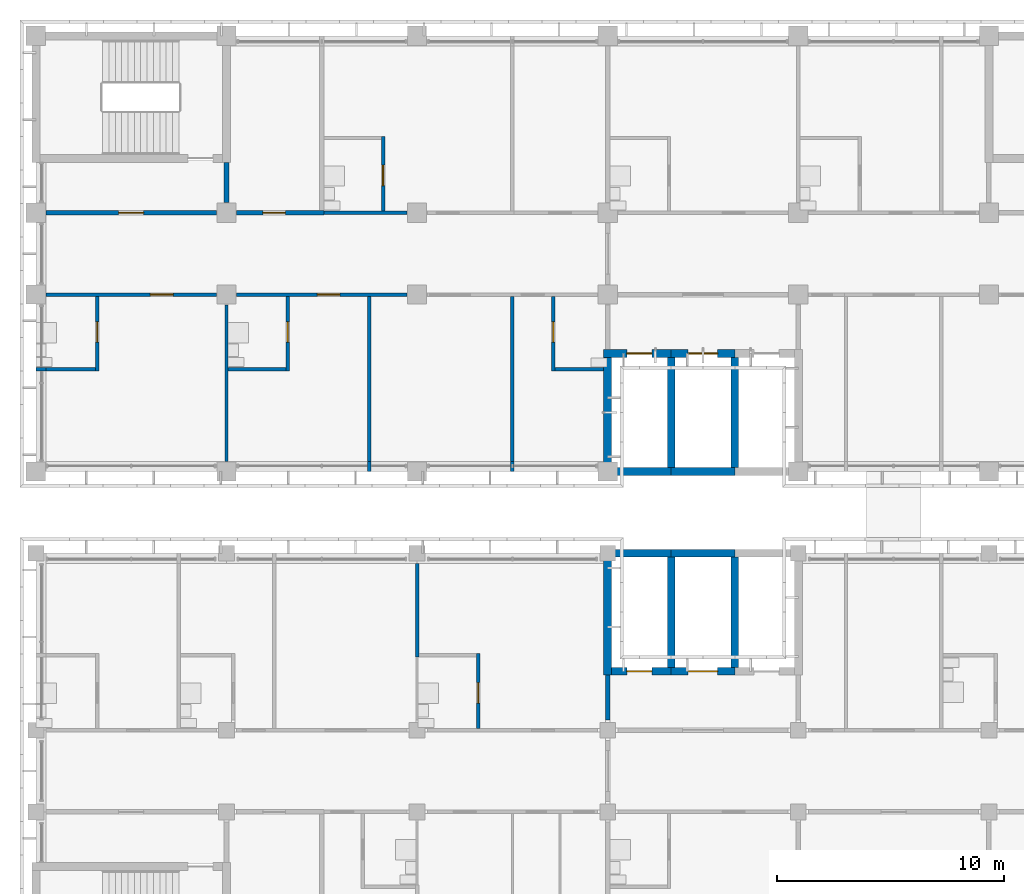
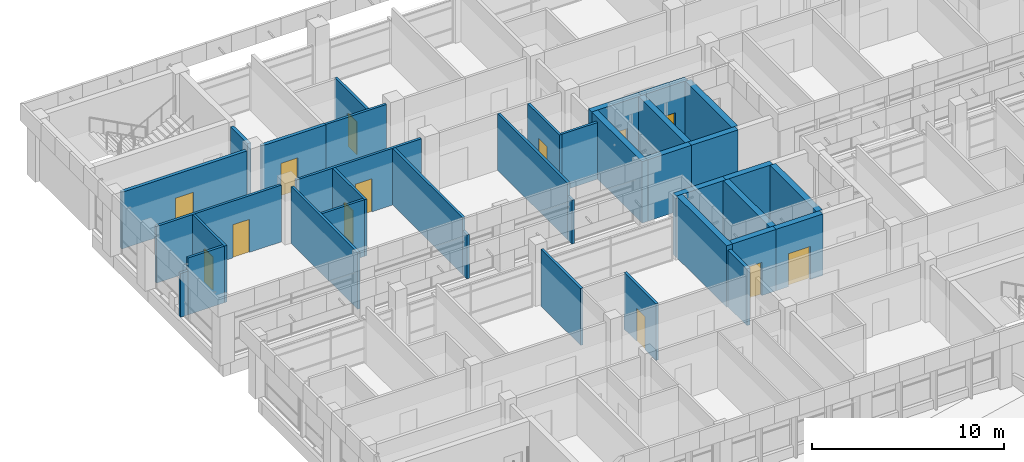
# One storey, part 31 of 74: 36 walls, 13 doors, 13 openings.
"""IFC4 building model written with IfcOpenShell, lengths in metres."""

from ifc_helpers import new_model, si_unit, direction, frame, frame_2d, origin, place, context, subcontext, project, spatial, rectangle, extrude, material, layer, layer_set, type_object, element, fill, save


model = new_model("IFC4")

# Units and contexts
model_context = context("Model", 3, precision=1e-05, world=origin(), true_north=direction((0.0, 1.0)))
body_context = subcontext(model_context, "Body", "Model", "MODEL_VIEW")
ifc_project = project(units=[si_unit("LENGTHUNIT", "METRE"), si_unit("AREAUNIT", "SQUARE_METRE"), si_unit("VOLUMEUNIT", "CUBIC_METRE"), si_unit("PLANEANGLEUNIT", "RADIAN"), si_unit("MASSUNIT", "GRAM", prefix="KILO")], contexts=[model_context])

# Site, building, storey
site_placement = place(None, origin())
site = spatial("IfcSite", under=ifc_project, at=site_placement, CompositionType="ELEMENT")
building_placement = place(site_placement, origin())
building = spatial("IfcBuilding", under=site, at=building_placement, Name="Bougainvillea Quay General Hospital", CompositionType="ELEMENT")
storey_placement = place(building_placement, frame((0.0, 0.0, 21.0)))
storey = spatial("IfcBuildingStorey", under=building, at=storey_placement, Name="L04", CompositionType="ELEMENT", Elevation=21.0)

# Walls
ifc_material_1 = material(Name="Gypsum board partition on steel studs, insulated", Category="steel")
ifc_layer_1 = layer(ifc_material_1, 0.14990234375)
ifc_layer_set_1 = layer_set([ifc_layer_1], Name="Gypsum board partition on steel studs, insulated")
wall_type_1 = type_object("IfcWallType", Name="Partition 150 Gypsum board partition", PredefinedType="PARTITIONING", material=ifc_layer_set_1)
wall_1_placement = place(storey_placement, frame((50.39990234375, 140.85009765625, 0.0), z_axis=(0.0, 0.0, 1.0), x_axis=(0.0, 1.0, 0.0)))
element("IfcWall", 1, at=wall_1_placement, inside=storey, type_object=wall_type_1, Name="Partition 150 mm", PredefinedType="PARTITIONING", context=body_context, shape_type="SweptSolid", body=[
    extrude(rectangle(XDim=6.89990234375, YDim=0.14990234375, at=frame_2d((3.449951171875, 0.0))), origin(), (0.0, 0.0, 1.0), 3.60009765625),
])
wall_2_placement = place(storey_placement, frame((56.699951171875, 140.39990234375, 0.0), z_axis=(0.0, 0.0, 1.0), x_axis=(0.0, 1.0, 0.0)))
element("IfcWall", 2, at=wall_2_placement, inside=storey, type_object=wall_type_1, Name="Partition 150 mm", PredefinedType="PARTITIONING", context=body_context, shape_type="SweptSolid", body=[
    extrude(rectangle(XDim=0.4501953125, YDim=0.14990234375, at=frame_2d((0.22509765625, 0.0))), origin(), (0.0, 0.0, 1.0), 2.780029296875),
])
wall_3_placement = place(storey_placement, frame((56.699951171875, 140.85009765625, 0.0), z_axis=(0.0, 0.0, 1.0), x_axis=(0.0, 1.0, 0.0)))
element("IfcWall", 3, at=wall_3_placement, inside=storey, type_object=wall_type_1, Name="Partition 150 mm", PredefinedType="PARTITIONING", context=body_context, shape_type="SweptSolid", body=[
    extrude(rectangle(XDim=7.27490234375, YDim=0.14990234375, at=frame_2d((3.637451171875, 0.0))), origin(), (0.0, 0.0, 1.0), 3.60009765625),
])
wall_4_placement = place(storey_placement, frame((63.0, 140.39990234375, 0.0), z_axis=(0.0, 0.0, 1.0), x_axis=(0.0, 1.0, 0.0)))
element("IfcWall", 4, at=wall_4_placement, inside=storey, type_object=wall_type_1, Name="Partition 150 mm", PredefinedType="PARTITIONING", context=body_context, shape_type="SweptSolid", body=[
    extrude(rectangle(XDim=0.4501953125, YDim=0.14990234375, at=frame_2d((0.22509765625, 0.0))), origin(), (0.0, 0.0, 1.0), 2.780029296875),
])
wall_5_placement = place(storey_placement, frame((63.0, 140.85009765625, 0.0), z_axis=(0.0, 0.0, 1.0), x_axis=(0.0, 1.0, 0.0)))
element("IfcWall", 5, at=wall_5_placement, inside=storey, type_object=wall_type_1, Name="Partition 150 mm", PredefinedType="PARTITIONING", context=body_context, shape_type="SweptSolid", body=[
    extrude(rectangle(XDim=7.27490234375, YDim=0.14990234375, at=frame_2d((3.637451171875, 0.0))), origin(), (0.0, 0.0, 1.0), 3.60009765625),
])
wall_6_placement = place(storey_placement, frame((58.800048828125, 132.22509765625, 0.0), z_axis=(0.0, 0.0, 1.0), x_axis=(0.0, 1.0, 0.0)))
element("IfcWall", 6, at=wall_6_placement, inside=storey, type_object=wall_type_1, Name="Partition 150 mm", PredefinedType="PARTITIONING", context=body_context, shape_type="SweptSolid", body=[
    extrude(rectangle(XDim=4.125, YDim=0.14990234375, at=frame_2d((2.0625, 0.0))), origin(), (0.0, 0.0, 1.0), 3.60009765625),
])

# Wall, opening, door
wall_7_placement = place(storey_placement, frame((61.5, 129.074951171875, 0.0), z_axis=(0.0, 0.0, 1.0), x_axis=(0.0, 1.0, 0.0)))
wall_7 = element("IfcWall", 7, at=wall_7_placement, inside=storey, type_object=wall_type_1, Name="Partition 150 mm", PredefinedType="PARTITIONING", context=body_context, shape_type="SweptSolid", body=[
    extrude(rectangle(XDim=3.300048828125, YDim=0.14990234375, at=frame_2d((1.64990234375, 0.0))), origin(), (0.0, 0.0, 1.0), 3.60009765625),
])
opening_1_placement = place(wall_7_placement, frame((1.125, 0.0, 0.0)))
opening_1 = element("IfcOpeningElement", 8, at=opening_1_placement, cuts=wall_7, Name="Opening L04.084", PredefinedType="OPENING", context=body_context, shape_type="SweptSolid", body=[
    extrude(rectangle(XDim=0.89990234375, YDim=2.10009765625, at=frame_2d((0.449951171875, 1.050048828125))), frame((0.0, 0.0849609375, 0.0), z_axis=(0.0, -1.0, 0.0), x_axis=(1.0, 0.0, 0.0)), (0.0, 0.0, 1.0), 0.169921875),
])
ifc_material_2 = material(Name="Solid-core timber door leaf in steel frame", Category="steel")
door_type_1 = type_object("IfcDoorType", Name="Single leaf door 900x2100", OperationType="NOTDEFINED", PredefinedType="DOOR", material=ifc_material_2)
door_1_placement = place(opening_1_placement, origin())
door_1 = element("IfcDoor", 9, at=door_1_placement, inside=storey, type_object=door_type_1, Name="DT07 L04.084", OperationType="SINGLE_SWING_LEFT", OverallHeight=2.10009765625, OverallWidth=0.89990234375, PredefinedType="DOOR", context=body_context, shape_type="SweptSolid", body=[
    extrude(rectangle(XDim=0.89990234375, YDim=2.10009765625, at=frame_2d((0.449951171875, 1.050048828125))), frame((0.0, 0.02490234375, 0.0), z_axis=(0.0, -1.0, 0.0), x_axis=(1.0, 0.0, 0.0)), (0.0, 0.0, 1.0), 0.050048828125),
])
fill(opening_1, door_1)

wall_8_placement = place(storey_placement, frame((44.699951171875, 144.824951171875, 0.0), z_axis=(0.0, 0.0, 1.0), x_axis=(0.0, 1.0, 0.0)))
wall_8 = element("IfcWall", 10, at=wall_8_placement, inside=storey, type_object=wall_type_1, Name="Partition 150 mm", PredefinedType="PARTITIONING", context=body_context, shape_type="SweptSolid", body=[
    extrude(rectangle(XDim=3.300048828125, YDim=0.14990234375, at=frame_2d((1.64990234375, 0.0))), origin(), (0.0, 0.0, 1.0), 3.60009765625),
])
opening_2_placement = place(wall_8_placement, frame((1.27490234375, 0.0, 0.0)))
opening_2 = element("IfcOpeningElement", 11, at=opening_2_placement, cuts=wall_8, Name="Opening L04.005", PredefinedType="OPENING", context=body_context, shape_type="SweptSolid", body=[
    extrude(rectangle(XDim=0.89990234375, YDim=2.10009765625, at=frame_2d((0.449951171875, 1.050048828125))), frame((0.0, 0.0849609375, 0.0), z_axis=(0.0, -1.0, 0.0), x_axis=(1.0, 0.0, 0.0)), (0.0, 0.0, 1.0), 0.169921875),
])
door_2_placement = place(opening_2_placement, origin())
door_2 = element("IfcDoor", 12, at=door_2_placement, inside=storey, type_object=door_type_1, Name="DT07 L04.005", OperationType="SINGLE_SWING_RIGHT", OverallHeight=2.10009765625, OverallWidth=0.89990234375, PredefinedType="DOOR", context=body_context, shape_type="SweptSolid", body=[
    extrude(rectangle(XDim=0.89990234375, YDim=2.10009765625, at=frame_2d((0.449951171875, 1.050048828125))), frame((0.0, 0.02490234375, 0.0), z_axis=(0.0, -1.0, 0.0), x_axis=(1.0, 0.0, 0.0)), (0.0, 0.0, 1.0), 0.050048828125),
])
fill(opening_2, door_2)

wall_9_placement = place(storey_placement, frame((53.10009765625, 144.824951171875, 0.0), z_axis=(0.0, 0.0, 1.0), x_axis=(0.0, 1.0, 0.0)))
wall_9 = element("IfcWall", 13, at=wall_9_placement, inside=storey, type_object=wall_type_1, Name="Partition 150 mm", PredefinedType="PARTITIONING", context=body_context, shape_type="SweptSolid", body=[
    extrude(rectangle(XDim=3.300048828125, YDim=0.14990234375, at=frame_2d((1.64990234375, 0.0))), origin(), (0.0, 0.0, 1.0), 3.60009765625),
])
opening_3_placement = place(wall_9_placement, frame((1.27490234375, 0.0, 0.0)))
opening_3 = element("IfcOpeningElement", 14, at=opening_3_placement, cuts=wall_9, Name="Opening L04.007", PredefinedType="OPENING", context=body_context, shape_type="SweptSolid", body=[
    extrude(rectangle(XDim=0.89990234375, YDim=2.10009765625, at=frame_2d((0.449951171875, 1.050048828125))), frame((0.0, 0.0849609375, 0.0), z_axis=(0.0, -1.0, 0.0), x_axis=(1.0, 0.0, 0.0)), (0.0, 0.0, 1.0), 0.169921875),
])
door_3_placement = place(opening_3_placement, origin())
door_3 = element("IfcDoor", 15, at=door_3_placement, inside=storey, type_object=door_type_1, Name="DT07 L04.007", OperationType="SINGLE_SWING_RIGHT", OverallHeight=2.10009765625, OverallWidth=0.89990234375, PredefinedType="DOOR", context=body_context, shape_type="SweptSolid", body=[
    extrude(rectangle(XDim=0.89990234375, YDim=2.10009765625, at=frame_2d((0.449951171875, 1.050048828125))), frame((0.0, 0.02490234375, 0.0), z_axis=(0.0, -1.0, 0.0), x_axis=(1.0, 0.0, 0.0)), (0.0, 0.0, 1.0), 0.050048828125),
])
fill(opening_3, door_3)

wall_10_placement = place(storey_placement, frame((57.300048828125, 151.875, 0.0), z_axis=(0.0, 0.0, 1.0), x_axis=(0.0, 1.0, 0.0)))
wall_10 = element("IfcWall", 16, at=wall_10_placement, inside=storey, type_object=wall_type_1, Name="Partition 150 mm", PredefinedType="PARTITIONING", context=body_context, shape_type="SweptSolid", body=[
    extrude(rectangle(XDim=3.300048828125, YDim=0.14990234375, at=frame_2d((1.64990234375, 0.0))), origin(), (0.0, 0.0, 1.0), 3.60009765625),
])
opening_4_placement = place(wall_10_placement, frame((1.125, 0.0, 0.0)))
opening_4 = element("IfcOpeningElement", 17, at=opening_4_placement, cuts=wall_10, Name="Opening L04.012", PredefinedType="OPENING", context=body_context, shape_type="SweptSolid", body=[
    extrude(rectangle(XDim=0.89990234375, YDim=2.10009765625, at=frame_2d((0.449951171875, 1.050048828125))), frame((0.0, 0.0849609375, 0.0), z_axis=(0.0, -1.0, 0.0), x_axis=(1.0, 0.0, 0.0)), (0.0, 0.0, 1.0), 0.169921875),
])
door_4_placement = place(opening_4_placement, origin())
door_4 = element("IfcDoor", 18, at=door_4_placement, inside=storey, type_object=door_type_1, Name="DT07 L04.012", OperationType="SINGLE_SWING_LEFT", OverallHeight=2.10009765625, OverallWidth=0.89990234375, PredefinedType="DOOR", context=body_context, shape_type="SweptSolid", body=[
    extrude(rectangle(XDim=0.89990234375, YDim=2.10009765625, at=frame_2d((0.449951171875, 1.050048828125))), frame((0.0, 0.02490234375, 0.0), z_axis=(0.0, -1.0, 0.0), x_axis=(1.0, 0.0, 0.0)), (0.0, 0.0, 1.0), 0.050048828125),
])
fill(opening_4, door_4)

wall_11_placement = place(storey_placement, frame((64.800048828125, 144.824951171875, 0.0), z_axis=(0.0, 0.0, 1.0), x_axis=(0.0, 1.0, 0.0)))
wall_11 = element("IfcWall", 19, at=wall_11_placement, inside=storey, type_object=wall_type_1, Name="Partition 150 mm", PredefinedType="PARTITIONING", context=body_context, shape_type="SweptSolid", body=[
    extrude(rectangle(XDim=3.300048828125, YDim=0.14990234375, at=frame_2d((1.64990234375, 0.0))), origin(), (0.0, 0.0, 1.0), 3.60009765625),
])
opening_5_placement = place(wall_11_placement, frame((1.27490234375, 0.0, 0.0)))
opening_5 = element("IfcOpeningElement", 20, at=opening_5_placement, cuts=wall_11, Name="Opening L04.010", PredefinedType="OPENING", context=body_context, shape_type="SweptSolid", body=[
    extrude(rectangle(XDim=0.89990234375, YDim=2.10009765625, at=frame_2d((0.449951171875, 1.050048828125))), frame((0.0, 0.0849609375, 0.0), z_axis=(0.0, -1.0, 0.0), x_axis=(1.0, 0.0, 0.0)), (0.0, 0.0, 1.0), 0.169921875),
])
door_5_placement = place(opening_5_placement, frame((0.89990234375, 0.0, 0.0), z_axis=(0.0, 0.0, 1.0), x_axis=(-1.0, 0.0, 0.0)))
door_5 = element("IfcDoor", 21, at=door_5_placement, inside=storey, type_object=door_type_1, Name="DT07 L04.010", OperationType="SINGLE_SWING_LEFT", OverallHeight=2.10009765625, OverallWidth=0.89990234375, PredefinedType="DOOR", context=body_context, shape_type="SweptSolid", body=[
    extrude(rectangle(XDim=0.89990234375, YDim=2.10009765625, at=frame_2d((0.449951171875, 1.050048828125))), frame((0.0, 0.02490234375, 0.0), z_axis=(0.0, -1.0, 0.0), x_axis=(1.0, 0.0, 0.0)), (0.0, 0.0, 1.0), 0.050048828125),
])
fill(opening_5, door_5)

# Walls
wall_12_placement = place(storey_placement, frame((42.0, 144.89990234375, 0.0), z_axis=(0.0, 0.0, 1.0), x_axis=(1.0, 0.0, 0.0)))
element("IfcWall", 22, at=wall_12_placement, inside=storey, type_object=wall_type_1, Name="Partition 150 mm", PredefinedType="PARTITIONING", context=body_context, shape_type="SweptSolid", body=[
    extrude(rectangle(XDim=0.449951171875, YDim=0.14990234375, at=frame_2d((0.22509765625, 0.0))), origin(), (0.0, 0.0, 1.0), 2.780029296875),
])
wall_13_placement = place(storey_placement, frame((42.449951171875, 144.89990234375, 0.0), z_axis=(0.0, 0.0, 1.0), x_axis=(1.0, 0.0, 0.0)))
element("IfcWall", 23, at=wall_13_placement, inside=storey, type_object=wall_type_1, Name="Partition 150 mm", PredefinedType="PARTITIONING", context=body_context, shape_type="SweptSolid", body=[
    extrude(rectangle(XDim=2.175048828125, YDim=0.14990234375, at=frame_2d((1.08740234375, 0.0))), origin(), (0.0, 0.0, 1.0), 3.60009765625),
])
wall_14_placement = place(storey_placement, frame((50.47509765625, 144.89990234375, 0.0), z_axis=(0.0, 0.0, 1.0), x_axis=(1.0, 0.0, 0.0)))
element("IfcWall", 24, at=wall_14_placement, inside=storey, type_object=wall_type_1, Name="Partition 150 mm", PredefinedType="PARTITIONING", context=body_context, shape_type="SweptSolid", body=[
    extrude(rectangle(XDim=2.5498046875, YDim=0.14990234375, at=frame_2d((1.27490234375, 0.0))), origin(), (0.0, 0.0, 1.0), 3.60009765625),
])
wall_15_placement = place(storey_placement, frame((64.875, 144.89990234375, 0.0), z_axis=(0.0, 0.0, 1.0), x_axis=(1.0, 0.0, 0.0)))
element("IfcWall", 25, at=wall_15_placement, inside=storey, type_object=wall_type_1, Name="Partition 150 mm", PredefinedType="PARTITIONING", context=body_context, shape_type="SweptSolid", body=[
    extrude(rectangle(XDim=2.14990234375, YDim=0.14990234375, at=frame_2d((1.074951171875, 0.0))), origin(), (0.0, 0.0, 1.0), 3.60009765625),
])

# Wall, opening, door
ifc_layer_2 = layer(ifc_material_1, 0.14990234375)
ifc_layer_set_2 = layer_set([ifc_layer_2], Name="Gypsum board partition on steel studs, insulated")
wall_type_2 = type_object("IfcWallType", Name="Partition 150 Gypsum board partition EI 30", PredefinedType="PARTITIONING", material=ifc_layer_set_2)
wall_16_placement = place(storey_placement, frame((58.35009765625, 148.199951171875, 0.0), z_axis=(0.0, 0.0, 1.0), x_axis=(-1.0, 0.0, 0.0)))
wall_16 = element("IfcWall", 26, at=wall_16_placement, inside=storey, type_object=wall_type_2, Name="Partition 150 mm EI 30", PredefinedType="PARTITIONING", context=body_context, shape_type="SweptSolid", body=[
    extrude(rectangle(XDim=7.5, YDim=0.14990234375, at=frame_2d((3.75, 0.0))), origin(), (0.0, 0.0, 1.0), 3.60009765625),
])
opening_6_placement = place(wall_16_placement, frame((2.949951171875, 0.0, 0.0)))
opening_6 = element("IfcOpeningElement", 27, at=opening_6_placement, cuts=wall_16, Name="Opening L04.006", PredefinedType="OPENING", context=body_context, shape_type="SweptSolid", body=[
    extrude(rectangle(XDim=1.0, YDim=2.10009765625, at=frame_2d((0.5, 1.050048828125))), frame((0.0, 0.0849609375, 0.0), z_axis=(0.0, -1.0, 0.0), x_axis=(1.0, 0.0, 0.0)), (0.0, 0.0, 1.0), 0.169921875),
])
door_type_2 = type_object("IfcDoorType", Name="Single leaf door 1000x2100 FD30S", OperationType="NOTDEFINED", PredefinedType="DOOR", material=ifc_material_2)
door_6_placement = place(opening_6_placement, origin())
door_6 = element("IfcDoor", 28, at=door_6_placement, inside=storey, type_object=door_type_2, Name="DT15 L04.006", OperationType="SINGLE_SWING_LEFT", OverallHeight=2.10009765625, OverallWidth=1.0, PredefinedType="DOOR", context=body_context, shape_type="SweptSolid", body=[
    extrude(rectangle(XDim=1.0, YDim=2.10009765625, at=frame_2d((0.5, 1.050048828125))), frame((0.0, 0.02490234375, 0.0), z_axis=(0.0, -1.0, 0.0), x_axis=(1.0, 0.0, 0.0)), (0.0, 0.0, 1.0), 0.050048828125),
])
fill(opening_6, door_6)

wall_17_placement = place(storey_placement, frame((49.949951171875, 148.199951171875, 0.0), z_axis=(0.0, 0.0, 1.0), x_axis=(-1.0, 0.0, 0.0)))
wall_17 = element("IfcWall", 29, at=wall_17_placement, inside=storey, type_object=wall_type_2, Name="Partition 150 mm EI 30", PredefinedType="PARTITIONING", context=body_context, shape_type="SweptSolid", body=[
    extrude(rectangle(XDim=7.5, YDim=0.14990234375, at=frame_2d((3.75, 0.0))), origin(), (0.0, 0.0, 1.0), 3.60009765625),
])
opening_7_placement = place(wall_17_placement, frame((1.89990234375, 0.0, 0.0)))
opening_7 = element("IfcOpeningElement", 30, at=opening_7_placement, cuts=wall_17, Name="Opening L04.004", PredefinedType="OPENING", context=body_context, shape_type="SweptSolid", body=[
    extrude(rectangle(XDim=1.0, YDim=2.10009765625, at=frame_2d((0.5, 1.050048828125))), frame((0.0, 0.0849609375, 0.0), z_axis=(0.0, -1.0, 0.0), x_axis=(1.0, 0.0, 0.0)), (0.0, 0.0, 1.0), 0.169921875),
])
door_7_placement = place(opening_7_placement, origin())
door_7 = element("IfcDoor", 31, at=door_7_placement, inside=storey, type_object=door_type_2, Name="DT15 L04.004", OperationType="SINGLE_SWING_LEFT", OverallHeight=2.10009765625, OverallWidth=1.0, PredefinedType="DOOR", context=body_context, shape_type="SweptSolid", body=[
    extrude(rectangle(XDim=1.0, YDim=2.10009765625, at=frame_2d((0.5, 1.050048828125))), frame((0.0, 0.02490234375, 0.0), z_axis=(0.0, -1.0, 0.0), x_axis=(1.0, 0.0, 0.0)), (0.0, 0.0, 1.0), 0.050048828125),
])
fill(opening_7, door_7)

# Walls
wall_18_placement = place(storey_placement, frame((54.699951171875, 151.800048828125, 0.0), z_axis=(0.0, 0.0, 1.0), x_axis=(1.0, 0.0, 0.0)))
element("IfcWall", 32, at=wall_18_placement, inside=storey, type_object=wall_type_2, Name="Partition 150 mm EI 30", PredefinedType="PARTITIONING", context=body_context, shape_type="SweptSolid", body=[
    extrude(rectangle(XDim=3.650146484375, YDim=0.14990234375, at=frame_2d((1.8251953125, 0.0))), origin(), (0.0, 0.0, 1.0), 3.60009765625),
])
ifc_material_3 = material(Name="Fire-rated autoclaved aerated block wall, plastered")
ifc_layer_3 = layer(ifc_material_3, 0.199951171875)
ifc_layer_set_3 = layer_set([ifc_layer_3], Name="Fire-rated autoclaved aerated block wall, plastered")
wall_type_3 = type_object("IfcWallType", Name="Partition 200 Fire-rated autoclaved aerated block wall EI 120", PredefinedType="SOLIDWALL", material=ifc_layer_set_3)
wall_19_placement = place(storey_placement, frame((67.199951171875, 131.425048828125, 0.0), z_axis=(0.0, 0.0, 1.0), x_axis=(0.0, -1.0, 0.0)))
element("IfcWall", 33, at=wall_19_placement, inside=storey, type_object=wall_type_3, Name="Partition 200 mm EI 120", PredefinedType="SOLIDWALL", context=body_context, shape_type="SweptSolid", body=[
    extrude(rectangle(XDim=1.97509765625, YDim=0.199951171875, at=frame_2d((0.987548828125, 0.0))), origin(), (0.0, 0.0, 1.0), 3.60009765625),
])

# Wall, opening, door
wall_20_placement = place(storey_placement, frame((42.449951171875, 151.800048828125, 0.0), z_axis=(0.0, 0.0, 1.0), x_axis=(1.0, 0.0, 0.0)))
wall_20 = element("IfcWall", 34, at=wall_20_placement, inside=storey, type_object=wall_type_3, Name="Partition 200 mm EI 120", PredefinedType="SOLIDWALL", context=body_context, shape_type="SweptSolid", body=[
    extrude(rectangle(XDim=7.5, YDim=0.199951171875, at=frame_2d((3.75, 0.0))), origin(), (0.0, 0.0, 1.0), 3.60009765625),
])
opening_8_placement = place(wall_20_placement, frame((3.199951171875, 0.0, 0.0)))
opening_8 = element("IfcOpeningElement", 35, at=opening_8_placement, cuts=wall_20, Name="Opening L04.142", PredefinedType="OPENING", context=body_context, shape_type="SweptSolid", body=[
    extrude(rectangle(XDim=1.10009765625, YDim=2.10009765625, at=frame_2d((0.550048828125, 1.050048828125))), frame((0.0, 0.10986328125, 0.0), z_axis=(0.0, -1.0, 0.0), x_axis=(1.0, 0.0, 0.0)), (0.0, 0.0, 1.0), 0.219970703125),
])
ifc_material_4 = material(Name="Steel fire door leaf in steel frame", Category="steel")
door_type_3 = type_object("IfcDoorType", Name="Steel single leaf door 1100x2100 FD60", OperationType="NOTDEFINED", PredefinedType="DOOR", material=ifc_material_4)
door_8_placement = place(opening_8_placement, origin())
door_8 = element("IfcDoor", 36, at=door_8_placement, inside=storey, type_object=door_type_3, Name="DT04 L04.142", OperationType="SINGLE_SWING_RIGHT", OverallHeight=2.10009765625, OverallWidth=1.10009765625, PredefinedType="DOOR", context=body_context, shape_type="SweptSolid", body=[
    extrude(rectangle(XDim=1.10009765625, YDim=2.10009765625, at=frame_2d((0.550048828125, 1.050048828125))), frame((0.0, 0.02490234375, 0.0), z_axis=(0.0, -1.0, 0.0), x_axis=(1.0, 0.0, 0.0)), (0.0, 0.0, 1.0), 0.050048828125),
])
fill(opening_8, door_8)

wall_21_placement = place(storey_placement, frame((50.85009765625, 151.800048828125, 0.0), z_axis=(0.0, 0.0, 1.0), x_axis=(1.0, 0.0, 0.0)))
wall_21 = element("IfcWall", 37, at=wall_21_placement, inside=storey, type_object=wall_type_3, Name="Partition 200 mm EI 120", PredefinedType="SOLIDWALL", context=body_context, shape_type="SweptSolid", body=[
    extrude(rectangle(XDim=3.849853515625, YDim=0.199951171875, at=frame_2d((1.9248046875, 0.0))), origin(), (0.0, 0.0, 1.0), 3.60009765625),
])
opening_9_placement = place(wall_21_placement, frame((1.14990234375, 0.0, 0.0)))
opening_9 = element("IfcOpeningElement", 38, at=opening_9_placement, cuts=wall_21, Name="Opening L04.069", PredefinedType="OPENING", context=body_context, shape_type="SweptSolid", body=[
    extrude(rectangle(XDim=1.0, YDim=2.10009765625, at=frame_2d((0.5, 1.050048828125))), frame((0.0, 0.10986328125, 0.0), z_axis=(0.0, -1.0, 0.0), x_axis=(1.0, 0.0, 0.0)), (0.0, 0.0, 1.0), 0.219970703125),
])
door_type_4 = type_object("IfcDoorType", Name="Steel single leaf door 1000x2100 FD90", OperationType="NOTDEFINED", PredefinedType="DOOR", material=ifc_material_4)
door_9_placement = place(opening_9_placement, origin())
door_9 = element("IfcDoor", 39, at=door_9_placement, inside=storey, type_object=door_type_4, Name="DT11 L04.069", OperationType="SINGLE_SWING_LEFT", OverallHeight=2.10009765625, OverallWidth=1.0, PredefinedType="DOOR", context=body_context, shape_type="SweptSolid", body=[
    extrude(rectangle(XDim=1.0, YDim=2.10009765625, at=frame_2d((0.5, 1.050048828125))), frame((0.0, 0.02490234375, 0.0), z_axis=(0.0, -1.0, 0.0), x_axis=(1.0, 0.0, 0.0)), (0.0, 0.0, 1.0), 0.050048828125),
])
fill(opening_9, door_9)

# Walls
wall_22_placement = place(storey_placement, frame((50.39990234375, 152.25, 0.0), z_axis=(0.0, 0.0, 1.0), x_axis=(0.0, 1.0, 0.0)))
element("IfcWall", 40, at=wall_22_placement, inside=storey, type_object=wall_type_3, Name="Partition 200 mm EI 120", PredefinedType="SOLIDWALL", context=body_context, shape_type="SweptSolid", body=[
    extrude(rectangle(XDim=1.77490234375, YDim=0.199951171875, at=frame_2d((0.887451171875, 0.0))), origin(), (0.0, 0.0, 1.0), 3.60009765625),
])
ifc_material_5 = material(Name="Concrete C40", Category="concrete")
ifc_layer_4 = layer(ifc_material_5, 0.35009765625)
ifc_layer_set_4 = layer_set([ifc_layer_4], Name="Concrete C40")
wall_type_4 = type_object("IfcWallType", Name="RC SHEAR WALL 350 C40", PredefinedType="SHEAR", material=ifc_layer_set_4)
wall_23_placement = place(storey_placement, frame((67.02490234375, 136.800048828125, 0.0), z_axis=(0.0, 0.0, 1.0), x_axis=(1.0, 0.0, 0.0)))
element("IfcWall", 41, at=wall_23_placement, inside=storey, type_object=wall_type_4, Name="Shear wall L04", PredefinedType="SHEAR", context=body_context, shape_type="SweptSolid", body=[
    extrude(rectangle(XDim=2.97509765625, YDim=0.35009765625, at=frame_2d((1.487548828125, 0.0))), origin(), (0.0, 0.0, 1.0), 3.89990234375),
])

# Wall, opening, door
wall_24_placement = place(storey_placement, frame((67.02490234375, 145.60009765625, 0.0), z_axis=(0.0, 0.0, 1.0), x_axis=(1.0, 0.0, 0.0)))
wall_24 = element("IfcWall", 42, at=wall_24_placement, inside=storey, type_object=wall_type_4, Name="Shear wall L04", PredefinedType="SHEAR", context=body_context, shape_type="SweptSolid", body=[
    extrude(rectangle(XDim=2.97509765625, YDim=0.35009765625, at=frame_2d((1.487548828125, 0.0))), origin(), (0.0, 0.0, 1.0), 3.89990234375),
])
opening_10_placement = place(wall_24_placement, frame((1.02490234375, 0.0, 0.0)))
opening_10 = element("IfcOpeningElement", 43, at=opening_10_placement, cuts=wall_24, Name="Opening LD-A1.1-L04", PredefinedType="OPENING", context=body_context, shape_type="SweptSolid", body=[
    extrude(rectangle(XDim=1.10009765625, YDim=2.10009765625, at=frame_2d((0.550048828125, 1.050048828125))), frame((0.0, 0.18505859375, 0.0), z_axis=(0.0, -1.0, 0.0), x_axis=(1.0, 0.0, 0.0)), (0.0, 0.0, 1.0), 0.3701171875),
])
ifc_material_6 = material(Name="Stainless steel centre-opening landing door", Category="steel")
door_type_5 = type_object("IfcDoorType", Name="Lift landing door 1100x2100 E 120", OperationType="DOUBLE_DOOR_SLIDING", PredefinedType="DOOR", material=ifc_material_6)
door_10_placement = place(opening_10_placement, origin())
door_10 = element("IfcDoor", 44, at=door_10_placement, inside=storey, type_object=door_type_5, Name="Lift landing door LB-A1-1 L04", OperationType="DOUBLE_DOOR_SLIDING", OverallHeight=2.10009765625, OverallWidth=1.10009765625, PredefinedType="DOOR", context=body_context, shape_type="SweptSolid", body=[
    extrude(rectangle(XDim=1.10009765625, YDim=2.10009765625, at=frame_2d((0.550048828125, 1.050048828125))), frame((0.0, 0.02490234375, 0.0), z_axis=(0.0, -1.0, 0.0), x_axis=(1.0, 0.0, 0.0)), (0.0, 0.0, 1.0), 0.050048828125),
])
fill(opening_10, door_10)

# Walls
for number, where, z_axis, x_axis, name in (
    (45, (67.199951171875, 131.425048828125, 0.0), (0.0, 0.0, 1.0), (0.0, 1.0, 0.0), "Shear wall L04"),
    (46, (67.199951171875, 140.22509765625, 0.0), (0.0, 0.0, 1.0), (0.0, 1.0, 0.0), "Shear wall L04"),
):
    element("IfcWall", number, at=place(storey_placement, frame(where, z_axis=z_axis, x_axis=x_axis)), inside=storey, type_object=wall_type_4, Name=name, PredefinedType="SHEAR", context=body_context, shape_type="SweptSolid", body=[
        extrude(rectangle(XDim=5.199951171875, YDim=0.35009765625, at=frame_2d((2.60009765625, 0.0))), origin(), (0.0, 0.0, 1.0), 3.89990234375),
    ])

# Wall, opening, door
wall_25_placement = place(storey_placement, frame((67.375, 131.60009765625, 0.0), z_axis=(0.0, 0.0, 1.0), x_axis=(1.0, 0.0, 0.0)))
wall_25 = element("IfcWall", 47, at=wall_25_placement, inside=storey, type_object=wall_type_4, Name="Shear wall L04", PredefinedType="SHEAR", context=body_context, shape_type="SweptSolid", body=[
    extrude(rectangle(XDim=2.625, YDim=0.35009765625, at=frame_2d((1.3125, 0.0))), origin(), (0.0, 0.0, 1.0), 3.89990234375),
])
opening_11_placement = place(wall_25_placement, frame((0.675048828125, 0.0, 0.0)))
opening_11 = element("IfcOpeningElement", 48, at=opening_11_placement, cuts=wall_25, Name="Opening LD-B1.1-L04", PredefinedType="OPENING", context=body_context, shape_type="SweptSolid", body=[
    extrude(rectangle(XDim=1.10009765625, YDim=2.10009765625, at=frame_2d((0.550048828125, 1.050048828125))), frame((0.0, 0.18505859375, 0.0), z_axis=(0.0, -1.0, 0.0), x_axis=(1.0, 0.0, 0.0)), (0.0, 0.0, 1.0), 0.3701171875),
])
door_11_placement = place(opening_11_placement, origin())
door_11 = element("IfcDoor", 49, at=door_11_placement, inside=storey, type_object=door_type_5, Name="Lift landing door LB-B1-1 L04", OperationType="DOUBLE_DOOR_SLIDING", OverallHeight=2.10009765625, OverallWidth=1.10009765625, PredefinedType="DOOR", context=body_context, shape_type="SweptSolid", body=[
    extrude(rectangle(XDim=1.10009765625, YDim=2.10009765625, at=frame_2d((0.550048828125, 1.050048828125))), frame((0.0, 0.02490234375, 0.0), z_axis=(0.0, -1.0, 0.0), x_axis=(1.0, 0.0, 0.0)), (0.0, 0.0, 1.0), 0.050048828125),
])
fill(opening_11, door_11)

# Wall
wall_26_placement = place(storey_placement, frame((67.375, 140.39990234375, 0.0), z_axis=(0.0, 0.0, 1.0), x_axis=(1.0, 0.0, 0.0)))
element("IfcWall", 50, at=wall_26_placement, inside=storey, type_object=wall_type_4, Name="Shear wall L04", PredefinedType="SHEAR", context=body_context, shape_type="SweptSolid", body=[
    extrude(rectangle(XDim=2.625, YDim=0.35009765625, at=frame_2d((1.3125, 0.0))), origin(), (0.0, 0.0, 1.0), 3.89990234375),
])

# Wall, opening, door
wall_27_placement = place(storey_placement, frame((70.0, 131.60009765625, 0.0), z_axis=(0.0, 0.0, 1.0), x_axis=(1.0, 0.0, 0.0)))
wall_27 = element("IfcWall", 51, at=wall_27_placement, inside=storey, type_object=wall_type_4, Name="Shear wall L04", PredefinedType="SHEAR", context=body_context, shape_type="SweptSolid", body=[
    extrude(rectangle(XDim=2.800048828125, YDim=0.35009765625, at=frame_2d((1.39990234375, 0.0))), origin(), (0.0, 0.0, 1.0), 3.89990234375),
])
opening_12_placement = place(wall_27_placement, frame((0.75, 0.0, 0.0)))
opening_12 = element("IfcOpeningElement", 52, at=opening_12_placement, cuts=wall_27, Name="Opening LD-B1.2-L04", PredefinedType="OPENING", context=body_context, shape_type="SweptSolid", body=[
    extrude(rectangle(XDim=1.300048828125, YDim=2.10009765625, at=frame_2d((0.64990234375, 1.050048828125))), frame((0.0, 0.18505859375, 0.0), z_axis=(0.0, -1.0, 0.0), x_axis=(1.0, 0.0, 0.0)), (0.0, 0.0, 1.0), 0.3701171875),
])
door_type_6 = type_object("IfcDoorType", Name="Lift landing door 1300x2100 E 120", OperationType="DOUBLE_DOOR_SLIDING", PredefinedType="DOOR", material=ifc_material_6)
door_12_placement = place(opening_12_placement, origin())
door_12 = element("IfcDoor", 53, at=door_12_placement, inside=storey, type_object=door_type_6, Name="Lift landing door LB-B1-2 L04", OperationType="DOUBLE_DOOR_SLIDING", OverallHeight=2.10009765625, OverallWidth=1.300048828125, PredefinedType="DOOR", context=body_context, shape_type="SweptSolid", body=[
    extrude(rectangle(XDim=1.300048828125, YDim=2.10009765625, at=frame_2d((0.64990234375, 1.050048828125))), frame((0.0, 0.02490234375, 0.0), z_axis=(0.0, -1.0, 0.0), x_axis=(1.0, 0.0, 0.0)), (0.0, 0.0, 1.0), 0.050048828125),
])
fill(opening_12, door_12)

# Walls
wall_28_placement = place(storey_placement, frame((70.0, 131.77490234375, 0.0), z_axis=(0.0, 0.0, 1.0), x_axis=(0.0, 1.0, 0.0)))
element("IfcWall", 54, at=wall_28_placement, inside=storey, type_object=wall_type_4, Name="Shear wall L04", PredefinedType="SHEAR", context=body_context, shape_type="SweptSolid", body=[
    extrude(rectangle(XDim=4.85009765625, YDim=0.35009765625, at=frame_2d((2.425048828125, 0.0))), origin(), (0.0, 0.0, 1.0), 3.89990234375),
])
for number, where, z_axis, x_axis, name in (
    (55, (70.0, 136.800048828125, 0.0), (0.0, 0.0, 1.0), (1.0, 0.0, 0.0), "Shear wall L04"),
    (56, (70.0, 140.39990234375, 0.0), (0.0, 0.0, 1.0), (1.0, 0.0, 0.0), "Shear wall L04"),
):
    element("IfcWall", number, at=place(storey_placement, frame(where, z_axis=z_axis, x_axis=x_axis)), inside=storey, type_object=wall_type_4, Name=name, PredefinedType="SHEAR", context=body_context, shape_type="SweptSolid", body=[
        extrude(rectangle(XDim=2.800048828125, YDim=0.35009765625, at=frame_2d((1.39990234375, 0.0))), origin(), (0.0, 0.0, 1.0), 3.89990234375),
    ])
wall_29_placement = place(storey_placement, frame((70.0, 140.574951171875, 0.0), z_axis=(0.0, 0.0, 1.0), x_axis=(0.0, 1.0, 0.0)))
element("IfcWall", 57, at=wall_29_placement, inside=storey, type_object=wall_type_4, Name="Shear wall L04", PredefinedType="SHEAR", context=body_context, shape_type="SweptSolid", body=[
    extrude(rectangle(XDim=4.85009765625, YDim=0.35009765625, at=frame_2d((2.425048828125, 0.0))), origin(), (0.0, 0.0, 1.0), 3.89990234375),
])

# Wall, opening, door
wall_30_placement = place(storey_placement, frame((70.0, 145.60009765625, 0.0), z_axis=(0.0, 0.0, 1.0), x_axis=(1.0, 0.0, 0.0)))
wall_30 = element("IfcWall", 58, at=wall_30_placement, inside=storey, type_object=wall_type_4, Name="Shear wall L04", PredefinedType="SHEAR", context=body_context, shape_type="SweptSolid", body=[
    extrude(rectangle(XDim=2.800048828125, YDim=0.35009765625, at=frame_2d((1.39990234375, 0.0))), origin(), (0.0, 0.0, 1.0), 3.89990234375),
])
opening_13_placement = place(wall_30_placement, frame((0.75, 0.0, 0.0)))
opening_13 = element("IfcOpeningElement", 59, at=opening_13_placement, cuts=wall_30, Name="Opening LD-A1.2-L04", PredefinedType="OPENING", context=body_context, shape_type="SweptSolid", body=[
    extrude(rectangle(XDim=1.300048828125, YDim=2.10009765625, at=frame_2d((0.64990234375, 1.050048828125))), frame((0.0, 0.18505859375, 0.0), z_axis=(0.0, -1.0, 0.0), x_axis=(1.0, 0.0, 0.0)), (0.0, 0.0, 1.0), 0.3701171875),
])
door_13_placement = place(opening_13_placement, origin())
door_13 = element("IfcDoor", 60, at=door_13_placement, inside=storey, type_object=door_type_6, Name="Lift landing door LB-A1-2 L04", OperationType="DOUBLE_DOOR_SLIDING", OverallHeight=2.10009765625, OverallWidth=1.300048828125, PredefinedType="DOOR", context=body_context, shape_type="SweptSolid", body=[
    extrude(rectangle(XDim=1.300048828125, YDim=2.10009765625, at=frame_2d((0.64990234375, 1.050048828125))), frame((0.0, 0.02490234375, 0.0), z_axis=(0.0, -1.0, 0.0), x_axis=(1.0, 0.0, 0.0)), (0.0, 0.0, 1.0), 0.050048828125),
])
fill(opening_13, door_13)

# Walls
for number, where, z_axis, x_axis, name in (
    (61, (72.800048828125, 131.77490234375, 0.0), (0.0, 0.0, 1.0), (0.0, 1.0, 0.0), "Shear wall L04"),
    (62, (72.800048828125, 140.574951171875, 0.0), (0.0, 0.0, 1.0), (0.0, 1.0, 0.0), "Shear wall L04"),
):
    element("IfcWall", number, at=place(storey_placement, frame(where, z_axis=z_axis, x_axis=x_axis)), inside=storey, type_object=wall_type_4, Name=name, PredefinedType="SHEAR", context=body_context, shape_type="SweptSolid", body=[
        extrude(rectangle(XDim=4.85009765625, YDim=0.35009765625, at=frame_2d((2.425048828125, 0.0))), origin(), (0.0, 0.0, 1.0), 3.89990234375),
    ])

save(model, "model.ifc")
